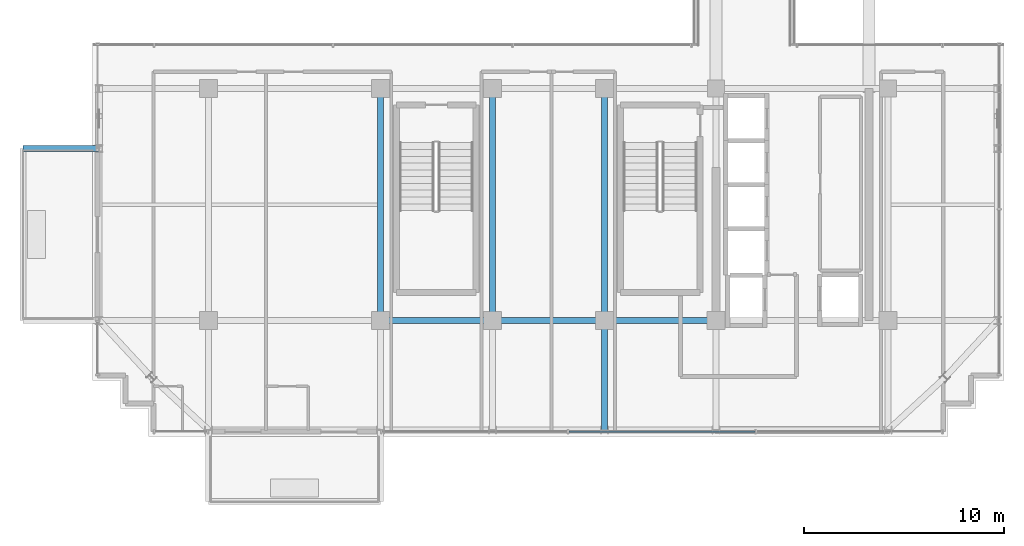
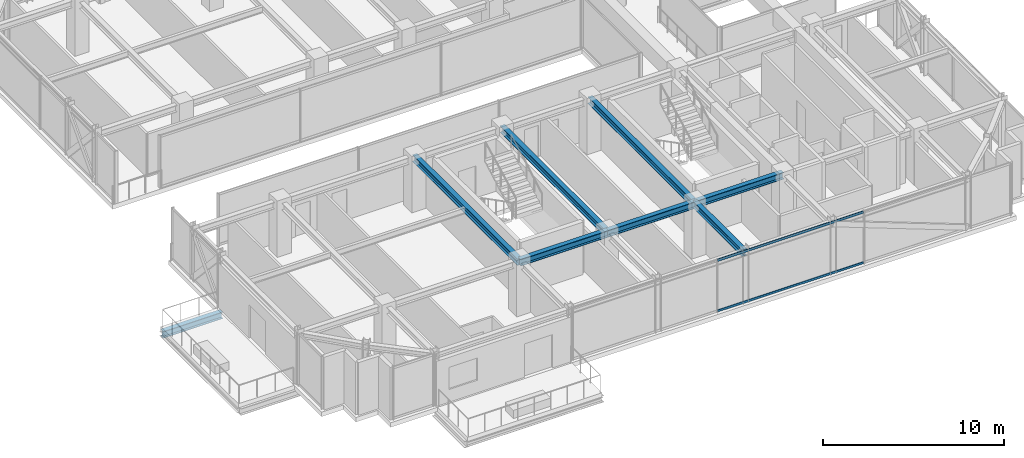
# One storey, part 8 of 37: 8 beams, 2 members, 1 element without a shape of its own.
"""IFC4 building model written with IfcOpenShell, lengths in metres."""

from ifc_helpers import new_model, si_unit, direction, frame, origin, origin_2d, place, context, subcontext, project, spatial, hollow_rectangle, i_section, extrude, source, transform, mapped, material, material_profile, profile_set, type_object, element, aggregate, save


model = new_model("IFC4")

# Units and contexts
model_context = context("Model", 3, precision=1e-05, world=origin(), true_north=direction((0.0, 1.0)))
body_context = subcontext(model_context, "Body", "Model", "MODEL_VIEW")
ifc_project = project(units=[si_unit("LENGTHUNIT", "METRE"), si_unit("AREAUNIT", "SQUARE_METRE"), si_unit("VOLUMEUNIT", "CUBIC_METRE"), si_unit("PLANEANGLEUNIT", "RADIAN"), si_unit("MASSUNIT", "GRAM", prefix="KILO")], contexts=[model_context])

# Site, building, storey
site_placement = place(None, origin())
site = spatial("IfcSite", under=ifc_project, at=site_placement, CompositionType="ELEMENT")
building_placement = place(site_placement, origin())
building = spatial("IfcBuilding", under=site, at=building_placement, Name="Nahalor Promenade Grand Hotel", CompositionType="ELEMENT")
storey_placement = place(building_placement, frame((0.0, 0.0, 308.050048828125)))
storey = spatial("IfcBuildingStorey", under=building, at=storey_placement, Name="L79", CompositionType="ELEMENT", Elevation=308.050048828125)

# Beams
ifc_material_1 = material(Name="Steel S355JR", Category="steel")
ifc_material_profile_1 = material_profile(ifc_material_1, i_section(OverallWidth=0.3, OverallDepth=0.45, WebThickness=0.014, FlangeThickness=0.026, at=origin_2d()), Name="HEB 450")
ifc_profile_set_1 = profile_set([ifc_material_profile_1], Name="Steel S355JR")
beam_type_1 = type_object("IfcBeamType", Name="Beam-Outrigger-HEB450", PredefinedType="BEAM", material=ifc_profile_set_1)
shared_shape_1 = source(origin(), body_context, "Body", "SweptSolid", [
    extrude(i_section(OverallWidth=0.3, OverallDepth=0.45, WebThickness=0.014, FlangeThickness=0.026, at=origin_2d()), origin(), (0.0, 0.0, 1.0), 3.81005859375),
])
beam_1_placement = place(storey_placement, frame((-26.2900390625, -8.39990234375, -0.505126953125), z_axis=(1.0, 0.0, 0.0), x_axis=(0.0, 1.0, 0.0)))
element("IfcBeam", 1, at=beam_1_placement, inside=storey, type_object=beam_type_1, Name="BM-L79-BC-02-2", PredefinedType="BEAM", context=body_context, shape_type="MappedRepresentation", body=[
    mapped(shared_shape_1, transform((0.0, 0.0, 0.0), scale=1.0)),
])
ifc_material_profile_2 = material_profile(ifc_material_1, i_section(OverallWidth=0.3, OverallDepth=0.45, WebThickness=0.014, FlangeThickness=0.026, at=origin_2d()), Name="HEB 450")
ifc_profile_set_2 = profile_set([ifc_material_profile_2], Name="Steel S355JR")
beam_type_2 = type_object("IfcBeamType", Name="Beam-Girder-HEB450", PredefinedType="BEAM", material=ifc_profile_set_2)
shared_shape_2 = source(origin(), body_context, "Body", "SweptSolid", [
    extrude(i_section(OverallWidth=0.3, OverallDepth=0.45, WebThickness=0.014, FlangeThickness=0.026, at=origin_2d()), origin(), (0.0, 0.0, 1.0), 5.599853515625),
])
for number, where, z_axis, x_axis, name in (
    (2, (-8.39990234375, -17.0, 3.324951171875), (1.0, 0.0, 0.0), (0.0, 1.0, 0.0), "BM-L79-GX-0-2"),
    (3, (2.800048828125, -17.0, 3.324951171875), (1.0, 0.0, 0.0), (0.0, 1.0, 0.0), "BM-L79-GX-0-4"),
):
    element("IfcBeam", number, at=place(storey_placement, frame(where, z_axis=z_axis, x_axis=x_axis)), inside=storey, type_object=beam_type_2, Name=name, PredefinedType="BEAM", context=body_context, shape_type="MappedRepresentation", body=[
        mapped(shared_shape_2, transform((0.0, 0.0, 0.0), scale=1.0)),
    ])
shared_shape_3 = source(origin(), body_context, "Body", "SweptSolid", [
    extrude(i_section(OverallWidth=0.3, OverallDepth=0.45, WebThickness=0.014, FlangeThickness=0.026, at=origin_2d()), origin(), (0.0, 0.0, 1.0), 5.60009765625),
])
beam_2_placement = place(storey_placement, frame((-2.800048828125, -17.0, 3.324951171875), z_axis=(1.0, 0.0, 0.0), x_axis=(0.0, 1.0, 0.0)))
element("IfcBeam", 4, at=beam_2_placement, inside=storey, type_object=beam_type_2, Name="BM-L79-GX-0-3", PredefinedType="BEAM", context=body_context, shape_type="MappedRepresentation", body=[
    mapped(shared_shape_3, transform((0.0, 0.0, 0.0), scale=1.0)),
])
shared_shape_4 = source(origin(), body_context, "Body", "SweptSolid", [
    extrude(i_section(OverallWidth=0.3, OverallDepth=0.45, WebThickness=0.014, FlangeThickness=0.026, at=origin_2d()), origin(), (0.0, 0.0, 1.0), 11.60009765625),
])
for number, where, z_axis, x_axis, name in (
    (5, (-8.39990234375, -17.0, 3.324951171875), (0.0, 1.0, 0.0), (-1.0, 0.0, 0.0), "BM-L79-GY-1-1"),
    (6, (-2.800048828125, -17.0, 3.324951171875), (0.0, 1.0, 0.0), (-1.0, 0.0, 0.0), "BM-L79-GY-2-1"),
    (7, (2.800048828125, -17.0, 3.324951171875), (0.0, 1.0, 0.0), (-1.0, 0.0, 0.0), "BM-L79-GY-3-1"),
):
    element("IfcBeam", number, at=place(storey_placement, frame(where, z_axis=z_axis, x_axis=x_axis)), inside=storey, type_object=beam_type_2, Name=name, PredefinedType="BEAM", context=body_context, shape_type="MappedRepresentation", body=[
        mapped(shared_shape_4, transform((0.0, 0.0, 0.0), scale=1.0)),
    ])
shared_shape_5 = source(origin(), body_context, "Body", "SweptSolid", [
    extrude(i_section(OverallWidth=0.3, OverallDepth=0.45, WebThickness=0.014, FlangeThickness=0.026, at=origin_2d()), origin(), (0.0, 0.0, 1.0), 5.47998046875),
])
beam_3_placement = place(storey_placement, frame((2.800048828125, -22.47998046875, 3.324951171875), z_axis=(0.0, 1.0, 0.0), x_axis=(-1.0, 0.0, 0.0)))
element("IfcBeam", 8, at=beam_3_placement, inside=storey, type_object=beam_type_2, Name="BM-L79-GY-3-0", PredefinedType="BEAM", context=body_context, shape_type="MappedRepresentation", body=[
    mapped(shared_shape_5, transform((0.0, 0.0, 0.0), scale=1.0)),
])

# Curtain wall, members
ifc_material_2 = material(Name="Anodised Bronze Aluminium EN AW-6063 T6", Category="aluminium")
curtain_wall_type = type_object("IfcCurtainWallType", Name="CW3 Elliptical-Void Collar Unitised Curtain Wall", PredefinedType="USERDEFINED", material=ifc_material_2)
curtain_wall_placement = place(storey_placement, origin())
curtain_wall = element("IfcCurtainWall", 9, at=curtain_wall_placement, inside=storey, type_object=curtain_wall_type, Name="L79 Curtain Wall CW-L79-S-3", ObjectType="UNITISED_CURTAIN_WALL", PredefinedType="USERDEFINED")
ifc_material_profile_3 = material_profile(ifc_material_2, hollow_rectangle(XDim=0.07, YDim=0.14, WallThickness=0.004, at=origin_2d()), Name="CWT 70x140x4")
ifc_profile_set_3 = profile_set([ifc_material_profile_3], Name="Anodised Bronze Aluminium EN AW-6063 T6")
member_type = type_object("IfcMemberType", Name="CWT3 Void Collar Transom 70x140", PredefinedType="USERDEFINED", material=ifc_profile_set_3)
shared_shape_6 = source(origin(), body_context, "Body", "SweptSolid", [
    extrude(hollow_rectangle(XDim=0.07, YDim=0.14, WallThickness=0.004, at=origin_2d()), origin(), (0.0, 0.0, 1.0), 9.316650390625),
])
member_1_placement = place(storey_placement, frame((1.021728515625, -22.56005859375, 0.070068359375), z_axis=(1.0, 0.0, 0.0), x_axis=(0.0, 1.0, 0.0)))
member_1 = element("IfcMember", 10, at=member_1_placement, type_object=member_type, Name="CW-L79-S-3 Transom 1-0", ObjectType="TRANSOM", PredefinedType="USERDEFINED", context=body_context, shape_type="MappedRepresentation", body=[
    mapped(shared_shape_6, transform((0.0, 0.0, 0.0), scale=1.0)),
])
member_2_placement = place(storey_placement, frame((1.021728515625, -22.56005859375, 3.47998046875), z_axis=(1.0, 0.0, 0.0), x_axis=(0.0, 1.0, 0.0)))
member_2 = element("IfcMember", 11, at=member_2_placement, type_object=member_type, Name="CW-L79-S-3 Transom 1-1", ObjectType="TRANSOM", PredefinedType="USERDEFINED", context=body_context, shape_type="MappedRepresentation", body=[
    mapped(shared_shape_6, transform((0.0, 0.0, 0.0), scale=1.0)),
])
aggregate(curtain_wall, [member_1, member_2])

save(model, "model.ifc")
